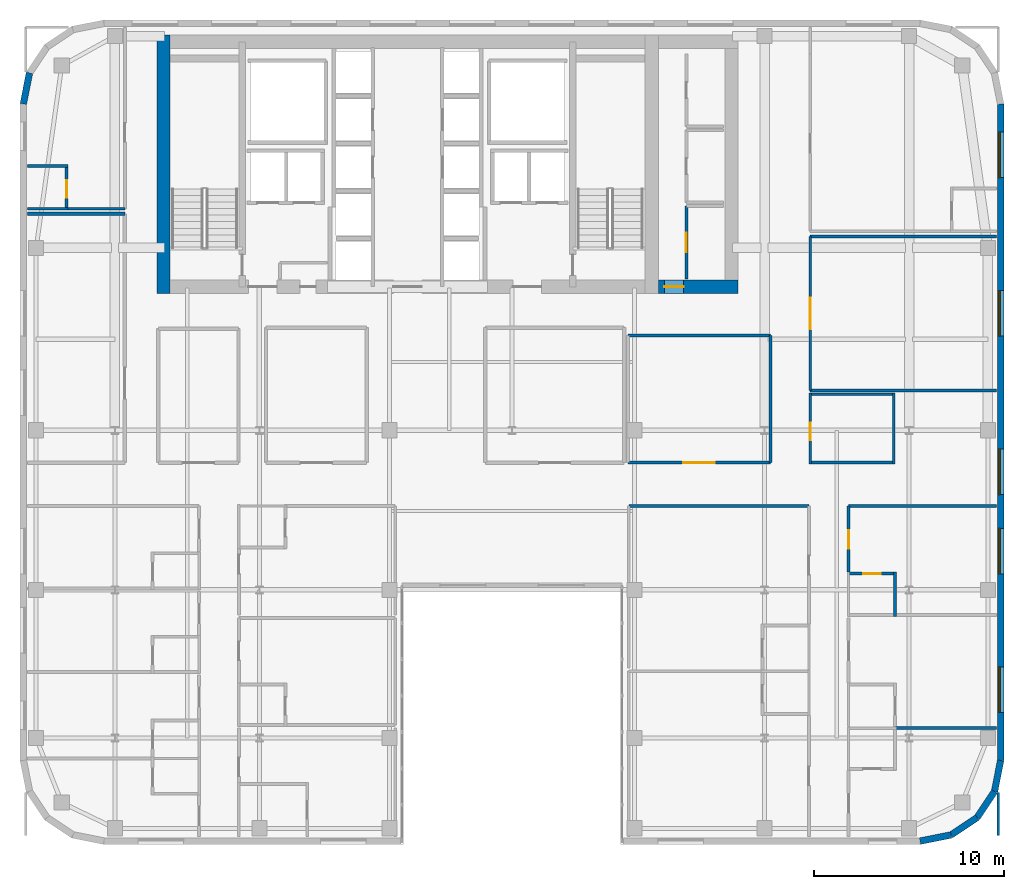
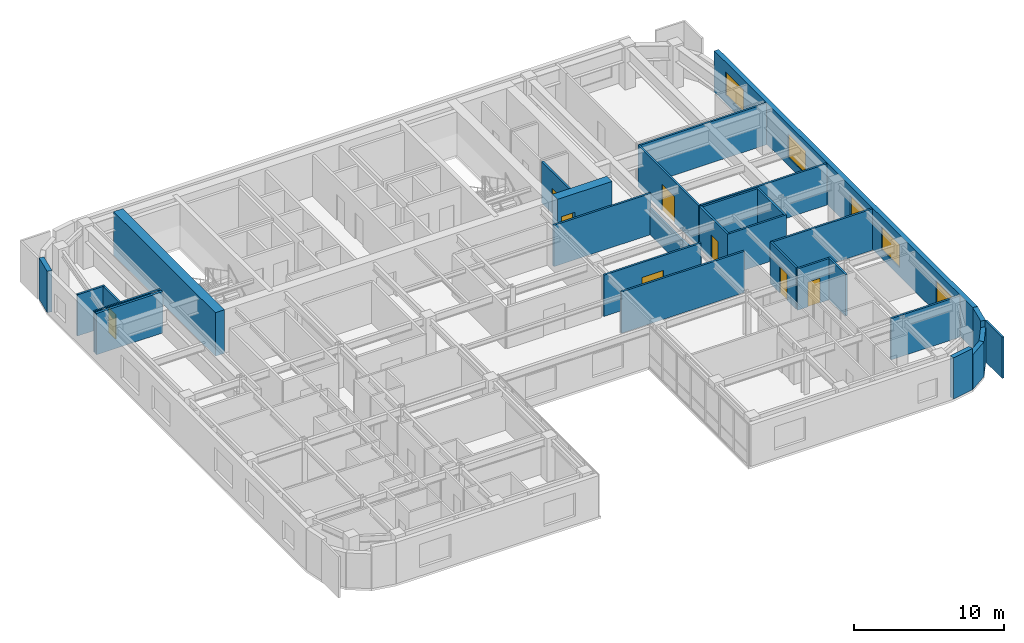
# One storey, part 10 of 14: 31 walls, 8 doors, 5 windows, 13 openings.
"""IFC4 building model written with IfcOpenShell, lengths in metres."""

import ifcopenshell
import ifcopenshell.guid

model = None  # the IFC model being written
_history = None  # IfcOwnerHistory: only IFC2X3 demands one
_inside = {}  # id of a spatial element -> (the spatial element, [elements in it])
_under = {}  # id of a project, library or spatial element -> (it, [spatial elements below it])
_declared = {}  # id of a project -> (the project, [libraries it declares])
_typed = {}  # id of a type object -> (the type object, [elements of that type])
_made_of = {}  # id of a material, layer set ... -> (it, [elements and type objects made of it])


def new_model(schema):
    """Start an empty IFC model of exactly this schema.

    Asked for "IFC4X3", IfcOpenShell would pick the latest addendum, in which some entities
    have other attributes; the version numbers below select the first issue.
    IFC2X3 requires an IfcOwnerHistory on every rooted entity: one is made here for all.
    """
    global model, _history
    if schema == "IFC4X3":
        model = ifcopenshell.file(schema_version=(4, 3, 0, 0))
    else:
        model = ifcopenshell.file(schema=schema)
    _inside.clear()
    _under.clear()
    _declared.clear()
    _typed.clear()
    _made_of.clear()
    _history = None
    if model.schema == "IFC2X3":
        org = make("IfcOrganization", Name="unknown")
        user = make(
            "IfcPersonAndOrganization",
            ThePerson=make("IfcPerson", FamilyName="unknown"),
            TheOrganization=org,
        )
        app = make(
            "IfcApplication",
            ApplicationDeveloper=org,
            Version="unknown",
            ApplicationFullName="unknown",
            ApplicationIdentifier="unknown",
        )
        _history = make(
            "IfcOwnerHistory",
            OwningUser=user,
            OwningApplication=app,
            ChangeAction="ADDED",
            CreationDate=0,
        )
    return model


def make(cls, **values):
    """One entity of the class cls with the attributes given. An attribute that is None is left unset."""
    return model.create_entity(
        cls, **{name: value for name, value in values.items() if value is not None}
    )


def rooted(cls, **values):
    """An entity with a GlobalId (a new one), such as an element, a storey or a relation."""
    return make(cls, GlobalId=ifcopenshell.guid.new(), OwnerHistory=_history, **values)


def si_unit(unit_type, name, prefix=None):
    """IfcSIUnit, for example si_unit("LENGTHUNIT", "METRE", prefix="MILLI")."""
    return make("IfcSIUnit", UnitType=unit_type, Prefix=prefix, Name=name)


def assignment(units):
    """IfcUnitAssignment: the units of a project."""
    return None if units is None else make("IfcUnitAssignment", Units=units)


def point(xyz):
    """IfcCartesianPoint."""
    return None if xyz is None else make("IfcCartesianPoint", Coordinates=xyz)


def direction(xyz):
    """IfcDirection."""
    return None if xyz is None else make("IfcDirection", DirectionRatios=xyz)


def frame(location, z_axis=None, x_axis=None):
    """IfcAxis2Placement3D, a coordinate frame: its origin and axes. An axis left out is left unset."""
    return make(
        "IfcAxis2Placement3D",
        Location=point(location),
        Axis=direction(z_axis),
        RefDirection=direction(x_axis),
    )


def frame_2d(location, x_axis=None):
    """IfcAxis2Placement2D, a coordinate frame in the plane: its origin and x axis."""
    return make(
        "IfcAxis2Placement2D", Location=point(location), RefDirection=direction(x_axis)
    )


def origin():
    """The frame at (0, 0, 0) with its axes left unset."""
    return frame((0.0, 0.0, 0.0))


def place(relative_to, where):
    """IfcLocalPlacement: puts the frame where relative to a parent placement (None: the world)."""
    return make(
        "IfcLocalPlacement", PlacementRelTo=relative_to, RelativePlacement=where
    )


def context(
    kind, dimensions, precision=None, world=None, true_north=None, identifier=None
):
    """IfcGeometricRepresentationContext, for example the 3D "Model" context."""
    return make(
        "IfcGeometricRepresentationContext",
        ContextIdentifier=identifier,
        ContextType=kind,
        CoordinateSpaceDimension=dimensions,
        Precision=precision,
        WorldCoordinateSystem=world,
        TrueNorth=true_north,
    )


def subcontext(parent, identifier, kind, view, scale=None):
    """IfcGeometricRepresentationSubContext, for example "Body" below "Model"."""
    return make(
        "IfcGeometricRepresentationSubContext",
        ContextIdentifier=identifier,
        ContextType=kind,
        ParentContext=parent,
        TargetScale=scale,
        TargetView=view,
    )


def project(units=None, contexts=None):
    """IfcProject with its units and contexts."""
    return rooted(
        "IfcProject",
        Name="project",
        RepresentationContexts=contexts,
        UnitsInContext=assignment(units),
    )


def spatial(cls, under=None, at=None, **own):
    """A site, building, storey or space (cls), placed at a placement, below another one or the project."""
    s = rooted(cls, ObjectPlacement=at, **own)
    if under is not None:
        _under.setdefault(under.id(), (under, []))[1].append(s)
    return s


def profile(cls, at=None, kind="AREA", **sizes):
    """A parametric profile (cls). Its sizes go by their IFC names, for example OverallWidth=200.0."""
    return make(cls, ProfileType=kind, Position=at, **sizes)


def rectangle(**sizes):
    """IfcRectangleProfileDef."""
    return profile("IfcRectangleProfileDef", **sizes)


def extrude(swept, where, along, depth):
    """IfcExtrudedAreaSolid: the profile swept, set in the frame where, extruded along a direction by depth."""
    return make(
        "IfcExtrudedAreaSolid",
        SweptArea=swept,
        Position=where,
        ExtrudedDirection=direction(along),
        Depth=depth,
    )


def shape(context_of_items, identifier, shape_type, items):
    """IfcShapeRepresentation: the items that make up one representation, for example the "Body"."""
    return make(
        "IfcShapeRepresentation",
        ContextOfItems=context_of_items,
        RepresentationIdentifier=identifier,
        RepresentationType=shape_type,
        Items=items,
    )


def source(mapping_origin, context_of_items, identifier, shape_type, items):
    """IfcRepresentationMap: a shape defined once, which mapped items show again and again."""
    return make(
        "IfcRepresentationMap",
        MappingOrigin=mapping_origin,
        MappedRepresentation=shape(context_of_items, identifier, shape_type, items),
    )


def transform(
    local_origin,
    x_axis=None,
    y_axis=None,
    z_axis=None,
    scale=None,
    scale2=None,
    scale3=None,
    uniform=True,
):
    """IfcCartesianTransformationOperator3D, or its non-uniform kind. x_axis, y_axis, z_axis: its Axis1, 2, 3."""
    if uniform:
        return make(
            "IfcCartesianTransformationOperator3D",
            Axis1=direction(x_axis),
            Axis2=direction(y_axis),
            LocalOrigin=point(local_origin),
            Scale=scale,
            Axis3=direction(z_axis),
        )
    return make(
        "IfcCartesianTransformationOperator3DnonUniform",
        Axis1=direction(x_axis),
        Axis2=direction(y_axis),
        LocalOrigin=point(local_origin),
        Scale=scale,
        Axis3=direction(z_axis),
        Scale2=scale2,
        Scale3=scale3,
    )


def mapped(mapping_source, mapping_target):
    """IfcMappedItem: shows the shape of a source again, moved by a transform."""
    return make(
        "IfcMappedItem", MappingSource=mapping_source, MappingTarget=mapping_target
    )


def material(Name=None, Category=None):
    """IfcMaterial."""
    return make("IfcMaterial", Name=Name, Category=Category)


def layer(
    of_material, thickness, ventilated=None, Name=None, Category=None, Priority=None
):
    """IfcMaterialLayer: one layer of a wall or slab, of a material (None: an air gap)."""
    return make(
        "IfcMaterialLayer",
        Material=of_material,
        LayerThickness=thickness,
        IsVentilated=ventilated,
        Name=Name,
        Category=Category,
        Priority=Priority,
    )


def layer_set(layers, Name=None):
    """IfcMaterialLayerSet."""
    return make("IfcMaterialLayerSet", MaterialLayers=layers, LayerSetName=Name)


def made_of(thing, what):
    """Note that an element or type object is made of a material, layer set ...; save() writes the relation."""
    if what is not None:
        _made_of.setdefault(what.id(), (what, []))[1].append(thing)
    return thing


def type_object(cls, material=None, **own):
    """A type object (cls), such as IfcWallType, which elements share."""
    return made_of(rooted(cls, **own), material)


def type_shapes(of_type, sources):
    """Give a type object the sources (RepresentationMaps) that its elements show as mapped items."""
    of_type.RepresentationMaps = sources


def element(
    cls,
    number,
    at=None,
    inside=None,
    cuts=None,
    type_object=None,
    material=None,
    context=None,
    identifier="Body",
    shape_type=None,
    held_by="IfcProductDefinitionShape",
    body=None,
    shapes=None,
    **own,
):
    """One element of the class cls, such as IfcWall. Its Tag is "e" and its number.

    at: its placement. inside: the storey or other place that contains it. cuts: it is an
    opening in that element (IfcRelVoidsElement). A single representation is given by context,
    identifier, shape_type and body (its items); several are given by shapes. held_by: the class
    of the entity that holds the representations. save() writes the other relations.
    """
    e = rooted(cls, Tag="e%d" % number, ObjectPlacement=at, **own)
    if body is not None:
        shapes = [shape(context, identifier, shape_type, body)]
    if shapes is not None:
        e.Representation = make(held_by, Representations=shapes)
    if inside is not None:
        _inside.setdefault(inside.id(), (inside, []))[1].append(e)
    if cuts is not None:
        rooted(
            "IfcRelVoidsElement", RelatingBuildingElement=cuts, RelatedOpeningElement=e
        )
    if type_object is not None:
        _typed.setdefault(type_object.id(), (type_object, []))[1].append(e)
    return made_of(e, material)


def fill(opening, filler):
    """IfcRelFillsElement: the door or window that sits in an opening."""
    return rooted(
        "IfcRelFillsElement",
        RelatingOpeningElement=opening,
        RelatedBuildingElement=filler,
    )


def aggregate(whole, parts):
    """IfcRelAggregates: a whole, such as a stair, and the parts it consists of."""
    return rooted("IfcRelAggregates", RelatingObject=whole, RelatedObjects=parts)


def save(model, path):
    """Write the relations noted so far, then the file.

    IfcRelAggregates (storeys below a building ...), IfcRelContainedInSpatialStructure (elements
    in a storey), IfcRelDefinesByType, IfcRelAssociatesMaterial and IfcRelDeclares: one each for
    every whole, place, type object, material and project.
    """
    for whole, parts in _under.values():
        aggregate(whole, parts)
    for where, things in _inside.values():
        rooted(
            "IfcRelContainedInSpatialStructure",
            RelatedElements=things,
            RelatingStructure=where,
        )
    for kind, things in _typed.values():
        rooted("IfcRelDefinesByType", RelatedObjects=things, RelatingType=kind)
    for what, things in _made_of.values():
        rooted("IfcRelAssociatesMaterial", RelatedObjects=things, RelatingMaterial=what)
    for by, libraries in _declared.values():
        rooted("IfcRelDeclares", RelatingContext=by, RelatedDefinitions=libraries)
    model.write(path)


model = new_model("IFC4")

# Units and contexts
model_context = context("Model", 3, precision=1e-05, world=origin(), true_north=direction((0.0, 1.0)))
body_context = subcontext(model_context, "Body", "Model", "MODEL_VIEW")
ifc_project = project(units=[si_unit("LENGTHUNIT", "METRE"), si_unit("AREAUNIT", "SQUARE_METRE"), si_unit("VOLUMEUNIT", "CUBIC_METRE"), si_unit("PLANEANGLEUNIT", "RADIAN"), si_unit("MASSUNIT", "GRAM", prefix="KILO")], contexts=[model_context])

# Site, building, storey
site_placement = place(None, origin())
site = spatial("IfcSite", under=ifc_project, at=site_placement, CompositionType="ELEMENT")
building_placement = place(site_placement, origin())
building = spatial("IfcBuilding", under=site, at=building_placement, Name="Tolvann Quenvar Hotel", CompositionType="ELEMENT")
storey_placement = place(building_placement, frame((0.0, 0.0, 187.550048828125)))
storey = spatial("IfcBuildingStorey", under=building, at=storey_placement, Name="L49", CompositionType="ELEMENT", Elevation=187.550048828125)

# Wall
ifc_material_1 = material(Name="Concrete S65 (65 MPa)", Category="concrete")
ifc_layer_1 = layer(ifc_material_1, 0.699951171875)
ifc_layer_set_1 = layer_set([ifc_layer_1], Name="Concrete S65 (65 MPa)")
wall_type_1 = type_object("IfcWallType", Name="WALL_CORE_700", PredefinedType="SHEAR", material=ifc_layer_set_1)
wall_1_placement = place(storey_placement, frame((10.14990234375, 31.60009765625, 0.0), z_axis=(0.0, 0.0, 1.0), x_axis=(0.0, 1.0, 0.0)))
element("IfcWall", 1, at=wall_1_placement, inside=storey, type_object=wall_type_1, Name="Rear Core W Shear Wall (L49)", PredefinedType="SHEAR", context=body_context, shape_type="SweptSolid", body=[
    extrude(rectangle(XDim=13.599853515625, YDim=0.699951171875, at=frame_2d((6.7998046875, 0.0))), origin(), (0.0, 0.0, 1.0), 3.550048828125),
])

# Wall, opening, door
wall_2_placement = place(storey_placement, frame((36.199951171875, 31.949951171875, 0.0), z_axis=(0.0, 0.0, 1.0), x_axis=(1.0, 0.0, 0.0)))
wall_2 = element("IfcWall", 2, at=wall_2_placement, inside=storey, type_object=wall_type_1, Name="Core East Annex Shear Wall ANN-S (L49)", PredefinedType="SHEAR", context=body_context, shape_type="SweptSolid", body=[
    extrude(rectangle(XDim=4.199951171875, YDim=0.699951171875, at=frame_2d((2.10009765625, 0.0))), origin(), (0.0, 0.0, 1.0), 3.550048828125),
])
opening_1_placement = place(wall_2_placement, frame((1.340087890625, 0.0, 0.0), z_axis=(0.0, 0.0, 1.0), x_axis=(-1.0, 0.0, 0.0)))
opening_1 = element("IfcOpeningElement", 3, at=opening_1_placement, cuts=wall_2, Name="Opening HD-01", PredefinedType="OPENING", context=body_context, shape_type="SweptSolid", body=[
    extrude(rectangle(XDim=1.02001953125, YDim=2.030029296875, at=frame_2d((0.510009765625, 1.01513671875))), frame((0.0, 0.35986328125, 0.0), z_axis=(0.0, -1.0, 0.0), x_axis=(1.0, 0.0, 0.0)), (0.0, 0.0, 1.0), 0.719970703125),
])
ifc_material_2 = material(Name="Pressed galvanised steel fire-rated door set", Category="steel")
door_type_1 = type_object("IfcDoorType", Name="DOOR_BOH_1020", OperationType="NOTDEFINED", PredefinedType="DOOR", material=ifc_material_2)
shared_shape_1 = source(origin(), body_context, "Body", "SweptSolid", [
    extrude(rectangle(XDim=1.02001953125, YDim=2.030029296875, at=frame_2d((0.510009765625, 1.01513671875))), frame((0.0, 0.02490234375, 0.0), z_axis=(0.0, -1.0, 0.0), x_axis=(1.0, 0.0, 0.0)), (0.0, 0.0, 1.0), 0.050048828125),
])
type_shapes(door_type_1, [shared_shape_1])
door_1_placement = place(opening_1_placement, origin())
door_1 = element("IfcDoor", 4, at=door_1_placement, inside=storey, type_object=door_type_1, Name="Housekeeping Annex Fire Door (L49)", OperationType="SINGLE_SWING_LEFT", OverallHeight=2.030029296875, OverallWidth=1.02001953125, PredefinedType="DOOR", context=body_context, shape_type="MappedRepresentation", body=[
    mapped(shared_shape_1, transform((0.0, 0.0, 0.0), x_axis=(1.0, 0.0, 0.0), y_axis=(0.0, 1.0, 0.0), z_axis=(0.0, 0.0, 1.0), scale=1.0)),
])
fill(opening_1, door_1)

# Walls
ifc_material_3 = material(Name="Kiln-fired red and buff architectural clay brickwork and terracotta masonry", Category="masonry")
ifc_layer_2 = layer(ifc_material_3, 0.35009765625)
ifc_layer_set_2 = layer_set([ifc_layer_2], Name="Kiln-fired red and buff architectural clay brickwork and terracotta masonry")
wall_type_2 = type_object("IfcWallType", Name="WALL_EXT_BRICK_350", PredefinedType="SOLIDWALL", material=ifc_layer_set_2)
wall_3_placement = place(storey_placement, frame((49.98291015625, 2.77490234375, 0.0), z_axis=(0.0, 0.0, 1.0), x_axis=(0.980788844421, 0.195072403631, 0.0)))
element("IfcWall", 5, at=wall_3_placement, inside=storey, type_object=wall_type_2, Name="Exterior Chicago Brick Wall L49-E09", PredefinedType="SOLIDWALL", context=body_context, shape_type="SweptSolid", body=[
    extrude(rectangle(XDim=1.66455078125, YDim=0.35009765625, at=frame_2d((0.832275390625, 0.0))), origin(), (0.0, 0.0, 1.0), 3.369873046875),
])
for number, where, z_axis, x_axis, name in (
    (6, (51.615478515625, 3.099609375, 0.0), (0.0, 0.0, 1.0), (0.831434158098, 0.555623290322, 0.0), "Exterior Chicago Brick Wall L49-E10"),
    (7, (52.985107421875, 4.014892578125, 0.0), (0.0, 0.0, 1.0), (0.555623290322, 0.831434158098, 0.0), "Exterior Chicago Brick Wall L49-E11"),
):
    element("IfcWall", number, at=place(storey_placement, frame(where, z_axis=z_axis, x_axis=x_axis)), inside=storey, type_object=wall_type_2, Name=name, PredefinedType="SOLIDWALL", context=body_context, shape_type="SweptSolid", body=[
        extrude(rectangle(XDim=1.647216796875, YDim=0.35009765625, at=frame_2d((0.82373046875, 0.0))), origin(), (0.0, 0.0, 1.0), 2.83203125),
    ])
wall_4_placement = place(storey_placement, frame((53.900390625, 5.384521484375, 0.0), z_axis=(0.0, 0.0, 1.0), x_axis=(0.195072403631, 0.980788844421, 0.0)))
element("IfcWall", 8, at=wall_4_placement, inside=storey, type_object=wall_type_2, Name="Exterior Chicago Brick Wall L49-E12", PredefinedType="SOLIDWALL", context=body_context, shape_type="SweptSolid", body=[
    extrude(rectangle(XDim=1.66455078125, YDim=0.35009765625, at=frame_2d((0.832275390625, 0.0))), origin(), (0.0, 0.0, 1.0), 3.369873046875),
])

# Wall, openings, windows
wall_5_placement = place(storey_placement, frame((54.22509765625, 7.01708984375, 0.0), z_axis=(0.0, 0.0, 1.0), x_axis=(0.0, 1.0, 0.0)))
wall_5 = element("IfcWall", 9, at=wall_5_placement, inside=storey, type_object=wall_type_2, Name="Exterior Chicago Brick Wall L49-E13", PredefinedType="SOLIDWALL", context=body_context, shape_type="SweptSolid", body=[
    extrude(rectangle(XDim=34.565673828125, YDim=0.35009765625, at=frame_2d((17.28271484375, 0.0))), origin(), (0.0, 0.0, 1.0), 3.369873046875),
])
opening_2_placement = place(wall_5_placement, frame((2.534912109375, 0.0, 0.679931640625)))
opening_2 = element("IfcOpeningElement", 10, at=opening_2_placement, cuts=wall_5, Name="Opening W-01", PredefinedType="OPENING", context=body_context, shape_type="SweptSolid", body=[
    extrude(rectangle(XDim=2.39990234375, YDim=1.89990234375, at=frame_2d((1.199951171875, 0.949951171875))), frame((0.0, 0.18505859375, 0.0), z_axis=(0.0, -1.0, 0.0), x_axis=(1.0, 0.0, 0.0)), (0.0, 0.0, 1.0), 0.3701171875),
])
opening_3_placement = place(wall_5_placement, frame((9.826904296875, 0.0, 0.679931640625)))
opening_3 = element("IfcOpeningElement", 11, at=opening_3_placement, cuts=wall_5, Name="Opening W-01", PredefinedType="OPENING", context=body_context, shape_type="SweptSolid", body=[
    extrude(rectangle(XDim=2.39990234375, YDim=1.89990234375, at=frame_2d((1.199951171875, 0.949951171875))), frame((0.0, 0.18505859375, 0.0), z_axis=(0.0, -1.0, 0.0), x_axis=(1.0, 0.0, 0.0)), (0.0, 0.0, 1.0), 0.3701171875),
])
opening_4_placement = place(wall_5_placement, frame((13.9970703125, 0.0, 0.679931640625)))
opening_4 = element("IfcOpeningElement", 12, at=opening_4_placement, cuts=wall_5, Name="Opening W-01", PredefinedType="OPENING", context=body_context, shape_type="SweptSolid", body=[
    extrude(rectangle(XDim=2.39990234375, YDim=1.89990234375, at=frame_2d((1.199951171875, 0.949951171875))), frame((0.0, 0.18505859375, 0.0), z_axis=(0.0, -1.0, 0.0), x_axis=(1.0, 0.0, 0.0)), (0.0, 0.0, 1.0), 0.3701171875),
])
opening_5_placement = place(wall_5_placement, frame((22.339111328125, 0.0, 0.679931640625)))
opening_5 = element("IfcOpeningElement", 13, at=opening_5_placement, cuts=wall_5, Name="Opening W-01", PredefinedType="OPENING", context=body_context, shape_type="SweptSolid", body=[
    extrude(rectangle(XDim=2.39990234375, YDim=1.89990234375, at=frame_2d((1.199951171875, 0.949951171875))), frame((0.0, 0.18505859375, 0.0), z_axis=(0.0, -1.0, 0.0), x_axis=(1.0, 0.0, 0.0)), (0.0, 0.0, 1.0), 0.3701171875),
])
opening_6_placement = place(wall_5_placement, frame((30.679931640625, 0.0, 0.679931640625)))
opening_6 = element("IfcOpeningElement", 14, at=opening_6_placement, cuts=wall_5, Name="Opening W-01", PredefinedType="OPENING", context=body_context, shape_type="SweptSolid", body=[
    extrude(rectangle(XDim=2.39990234375, YDim=1.89990234375, at=frame_2d((1.199951171875, 0.949951171875))), frame((0.0, 0.18505859375, 0.0), z_axis=(0.0, -1.0, 0.0), x_axis=(1.0, 0.0, 0.0)), (0.0, 0.0, 1.0), 0.3701171875),
])
ifc_material_4 = material(Name="Thermally broken bronze-anodised aluminium frame with double low-E glazing", Category="aluminium")
window_type = type_object("IfcWindowType", Name="WIN_CHI_2400x2050", PartitioningType="TRIPLE_PANEL_HORIZONTAL", PredefinedType="WINDOW", material=ifc_material_4)
shared_shape_2 = source(origin(), body_context, "Body", "SweptSolid", [
    extrude(rectangle(XDim=2.39990234375, YDim=1.89990234375, at=frame_2d((1.199951171875, 0.949951171875))), frame((0.0, 0.090087890625, 0.0), z_axis=(0.0, -1.0, 0.0), x_axis=(1.0, 0.0, 0.0)), (0.0, 0.0, 1.0), 0.06005859375),
])
type_shapes(window_type, [shared_shape_2])
window_1_placement = place(opening_2_placement, origin())
window_1 = element("IfcWindow", 15, at=window_1_placement, inside=storey, type_object=window_type, Name="Chicago Window W-01 (EW-L49-E13-W01)", OverallHeight=1.89990234375, OverallWidth=2.39990234375, PartitioningType="TRIPLE_PANEL_HORIZONTAL", PredefinedType="WINDOW", context=body_context, shape_type="MappedRepresentation", body=[
    mapped(shared_shape_2, transform((0.0, 0.0, 0.0), x_axis=(1.0, 0.0, 0.0), y_axis=(0.0, 1.0, 0.0), z_axis=(0.0, 0.0, 1.0), scale=1.0)),
])
fill(opening_2, window_1)
window_2_placement = place(opening_3_placement, origin())
window_2 = element("IfcWindow", 16, at=window_2_placement, inside=storey, type_object=window_type, Name="Chicago Window W-01 (EW-L49-E13-W02)", OverallHeight=1.89990234375, OverallWidth=2.39990234375, PartitioningType="TRIPLE_PANEL_HORIZONTAL", PredefinedType="WINDOW", context=body_context, shape_type="MappedRepresentation", body=[
    mapped(shared_shape_2, transform((0.0, 0.0, 0.0), x_axis=(1.0, 0.0, 0.0), y_axis=(0.0, 1.0, 0.0), z_axis=(0.0, 0.0, 1.0), scale=1.0)),
])
fill(opening_3, window_2)
window_3_placement = place(opening_4_placement, origin())
window_3 = element("IfcWindow", 17, at=window_3_placement, inside=storey, type_object=window_type, Name="Chicago Window W-01 (EW-L49-E13-W03)", OverallHeight=1.89990234375, OverallWidth=2.39990234375, PartitioningType="TRIPLE_PANEL_HORIZONTAL", PredefinedType="WINDOW", context=body_context, shape_type="MappedRepresentation", body=[
    mapped(shared_shape_2, transform((0.0, 0.0, 0.0), x_axis=(1.0, 0.0, 0.0), y_axis=(0.0, 1.0, 0.0), z_axis=(0.0, 0.0, 1.0), scale=1.0)),
])
fill(opening_4, window_3)
window_4_placement = place(opening_5_placement, origin())
window_4 = element("IfcWindow", 18, at=window_4_placement, inside=storey, type_object=window_type, Name="Chicago Window W-01 (EW-L49-E13-W04)", OverallHeight=1.89990234375, OverallWidth=2.39990234375, PartitioningType="TRIPLE_PANEL_HORIZONTAL", PredefinedType="WINDOW", context=body_context, shape_type="MappedRepresentation", body=[
    mapped(shared_shape_2, transform((0.0, 0.0, 0.0), x_axis=(1.0, 0.0, 0.0), y_axis=(0.0, 1.0, 0.0), z_axis=(0.0, 0.0, 1.0), scale=1.0)),
])
fill(opening_5, window_4)
window_5_placement = place(opening_6_placement, origin())
window_5 = element("IfcWindow", 19, at=window_5_placement, inside=storey, type_object=window_type, Name="Chicago Window W-01 (EW-L49-E13-W05)", OverallHeight=1.89990234375, OverallWidth=2.39990234375, PartitioningType="TRIPLE_PANEL_HORIZONTAL", PredefinedType="WINDOW", context=body_context, shape_type="MappedRepresentation", body=[
    mapped(shared_shape_2, transform((0.0, 0.0, 0.0), x_axis=(1.0, 0.0, 0.0), y_axis=(0.0, 1.0, 0.0), z_axis=(0.0, 0.0, 1.0), scale=1.0)),
])
fill(opening_6, window_5)

# Walls
wall_6_placement = place(storey_placement, frame((3.099609375, 43.215576171875, 0.0), z_axis=(0.0, 0.0, 1.0), x_axis=(-0.195044345786, -0.980794424524, 0.0)))
element("IfcWall", 20, at=wall_6_placement, inside=storey, type_object=wall_type_2, Name="Exterior Chicago Brick Wall L49-E22", PredefinedType="SOLIDWALL", context=body_context, shape_type="SweptSolid", body=[
    extrude(rectangle(XDim=1.664794921875, YDim=0.35009765625, at=frame_2d((0.83251953125, 0.0))), origin(), (0.0, 0.0, 1.0), 3.369873046875),
])
ifc_material_5 = material(Name="Acoustic twin-stud fire-rated gypsum plasterboard partition")
ifc_layer_3 = layer(ifc_material_5, 0.179931640625)
ifc_layer_set_3 = layer_set([ifc_layer_3], Name="Acoustic twin-stud fire-rated gypsum plasterboard partition")
wall_type_3 = type_object("IfcWallType", Name="WALL_PART_ACOUSTIC_180", PredefinedType="PARTITIONING", material=ifc_layer_set_3)
wall_7_placement = place(storey_placement, frame((3.0048828125, 35.800048828125, 0.0), z_axis=(0.0, 0.0, 1.0), x_axis=(1.0, 0.0, 0.0)))
element("IfcWall", 21, at=wall_7_placement, inside=storey, type_object=wall_type_3, Name="Interior Partition PT-SPC-L49-SAL-N", PredefinedType="PARTITIONING", context=body_context, shape_type="SweptSolid", body=[
    extrude(rectangle(XDim=5.115234375, YDim=0.179931640625, at=frame_2d((2.5576171875, 0.0))), origin(), (0.0, 0.0, 1.0), 3.369873046875),
])
ifc_material_6 = material(Name="Moisture-resistant acoustic plumbing wall assembly")
ifc_layer_4 = layer(ifc_material_6, 0.1201171875)
ifc_layer_set_4 = layer_set([ifc_layer_4], Name="Moisture-resistant acoustic plumbing wall assembly")
wall_type_4 = type_object("IfcWallType", Name="WALL_PART_BATH_120", PredefinedType="PLUMBINGWALL", material=ifc_layer_set_4)
wall_8_placement = place(storey_placement, frame((3.0048828125, 36.06005859375, 0.0), z_axis=(0.0, 0.0, 1.0), x_axis=(1.0, 0.0, 0.0)))
element("IfcWall", 22, at=wall_8_placement, inside=storey, type_object=wall_type_4, Name="Non-Rated Plumbing Partition PT-SPC-L49-ENS-NW01-S", PredefinedType="PLUMBINGWALL", context=body_context, shape_type="SweptSolid", body=[
    extrude(rectangle(XDim=2.115234375, YDim=0.1201171875, at=frame_2d((1.0576171875, 0.0))), origin(), (0.0, 0.0, 1.0), 3.369873046875),
])
ifc_layer_5 = layer(ifc_material_5, 0.14990234375)
ifc_layer_set_5 = layer_set([ifc_layer_5], Name="Acoustic twin-stud fire-rated gypsum plasterboard partition")
wall_type_5 = type_object("IfcWallType", Name="WALL_PART_SUITE_150", PredefinedType="PARTITIONING", material=ifc_layer_set_5)
wall_9_placement = place(storey_placement, frame((48.669921875, 14.610107421875, 0.0), z_axis=(0.0, 0.0, 1.0), x_axis=(0.0, 1.0, 0.0)))
element("IfcWall", 23, at=wall_9_placement, inside=storey, type_object=wall_type_5, Name="Interior Partition PT-SPC-L49-ENS-EO03-ENT", PredefinedType="PARTITIONING", context=body_context, shape_type="SweptSolid", body=[
    extrude(rectangle(XDim=2.32080078125, YDim=0.14990234375, at=frame_2d((1.160400390625, 0.0))), origin(), (0.0, 0.0, 1.0), 3.369873046875),
])

# Wall, opening, door
wall_10_placement = place(storey_placement, frame((46.14990234375, 16.861083984375, 0.0), z_axis=(0.0, 0.0, 1.0), x_axis=(1.0, 0.0, 0.0)))
wall_10 = element("IfcWall", 24, at=wall_10_placement, inside=storey, type_object=wall_type_5, Name="Interior Partition PT-SPC-L49-ENS-EO03-N", PredefinedType="PARTITIONING", context=body_context, shape_type="SweptSolid", body=[
    extrude(rectangle(XDim=2.590087890625, YDim=0.14990234375, at=frame_2d((1.294921875, 0.0))), origin(), (0.0, 0.0, 1.0), 3.369873046875),
])
opening_7_placement = place(wall_10_placement, frame((0.8349609375, 0.0, 0.0)))
opening_7 = element("IfcOpeningElement", 25, at=opening_7_placement, cuts=wall_10, Name="Opening WD-01", PredefinedType="OPENING", context=body_context, shape_type="SweptSolid", body=[
    extrude(rectangle(XDim=0.919921875, YDim=2.010009765625, at=frame_2d((0.4599609375, 1.0048828125))), frame((0.0, 0.0849609375, 0.0), z_axis=(0.0, -1.0, 0.0), x_axis=(1.0, 0.0, 0.0)), (0.0, 0.0, 1.0), 0.169921875),
])
ifc_material_7 = material(Name="Solid-core American oak acoustic fire door leaf in steel frame", Category="steel")
door_type_2 = type_object("IfcDoorType", Name="DOOR_WC_920", OperationType="NOTDEFINED", PredefinedType="DOOR", material=ifc_material_7)
shared_shape_3 = source(origin(), body_context, "Body", "SweptSolid", [
    extrude(rectangle(XDim=0.919921875, YDim=2.010009765625, at=frame_2d((0.4599609375, 1.0048828125))), frame((0.0, 0.02490234375, 0.0), z_axis=(0.0, -1.0, 0.0), x_axis=(1.0, 0.0, 0.0)), (0.0, 0.0, 1.0), 0.050048828125),
])
type_shapes(door_type_2, [shared_shape_3])
door_2_placement = place(opening_7_placement, origin())
door_2 = element("IfcDoor", 26, at=door_2_placement, inside=storey, type_object=door_type_2, Name="Interior Door DOOR-SPC-L49-ENS-EO03", OperationType="SINGLE_SWING_RIGHT", OverallHeight=2.010009765625, OverallWidth=0.919921875, PredefinedType="DOOR", context=body_context, shape_type="MappedRepresentation", body=[
    mapped(shared_shape_3, transform((0.0, 0.0, 0.0), x_axis=(1.0, 0.0, 0.0), y_axis=(0.0, 1.0, 0.0), z_axis=(0.0, 0.0, 1.0), scale=1.0)),
])
fill(opening_7, door_2)

wall_11_placement = place(storey_placement, frame((5.050048828125, 35.989990234375, 0.0), z_axis=(0.0, 0.0, 1.0), x_axis=(0.0, 1.0, 0.0)))
wall_11 = element("IfcWall", 27, at=wall_11_placement, inside=storey, type_object=wall_type_5, Name="Interior Partition PT-SPC-L49-ENS-NW01-ENT", PredefinedType="PARTITIONING", context=body_context, shape_type="SweptSolid", body=[
    extrude(rectangle(XDim=2.389892578125, YDim=0.14990234375, at=frame_2d((1.19482421875, 0.0))), origin(), (0.0, 0.0, 1.0), 3.369873046875),
])
opening_8_placement = place(wall_11_placement, frame((0.6650390625, 0.0, 0.0)))
opening_8 = element("IfcOpeningElement", 28, at=opening_8_placement, cuts=wall_11, Name="Opening WD-01", PredefinedType="OPENING", context=body_context, shape_type="SweptSolid", body=[
    extrude(rectangle(XDim=0.919921875, YDim=2.010009765625, at=frame_2d((0.4599609375, 1.0048828125))), frame((0.0, 0.0849609375, 0.0), z_axis=(0.0, -1.0, 0.0), x_axis=(1.0, 0.0, 0.0)), (0.0, 0.0, 1.0), 0.169921875),
])
door_3_placement = place(opening_8_placement, origin())
door_3 = element("IfcDoor", 29, at=door_3_placement, inside=storey, type_object=door_type_2, Name="Interior Door DOOR-SPC-L49-ENS-NW01", OperationType="SINGLE_SWING_LEFT", OverallHeight=2.010009765625, OverallWidth=0.919921875, PredefinedType="DOOR", context=body_context, shape_type="MappedRepresentation", body=[
    mapped(shared_shape_3, transform((0.0, 0.0, 0.0), x_axis=(1.0, 0.0, 0.0), y_axis=(0.0, 1.0, 0.0), z_axis=(0.0, 0.0, 1.0), scale=1.0)),
])
fill(opening_8, door_3)

# Wall
wall_12_placement = place(storey_placement, frame((3.0048828125, 38.31005859375, 0.0), z_axis=(0.0, 0.0, 1.0), x_axis=(1.0, 0.0, 0.0)))
element("IfcWall", 30, at=wall_12_placement, inside=storey, type_object=wall_type_5, Name="Interior Partition PT-SPC-L49-ENS-NW01-N", PredefinedType="PARTITIONING", context=body_context, shape_type="SweptSolid", body=[
    extrude(rectangle(XDim=2.115234375, YDim=0.14990234375, at=frame_2d((1.0576171875, 0.0))), origin(), (0.0, 0.0, 1.0), 3.369873046875),
])

# Wall, opening, door
wall_13_placement = place(storey_placement, frame((37.679931640625, 32.35498046875, 0.0), z_axis=(0.0, 0.0, 1.0), x_axis=(0.0, 1.0, 0.0)))
wall_13 = element("IfcWall", 31, at=wall_13_placement, inside=storey, type_object=wall_type_5, Name="Interior Partition PT-SPC-L49-RECPL-1-W", PredefinedType="PARTITIONING", context=body_context, shape_type="SweptSolid", body=[
    extrude(rectangle(XDim=3.844970703125, YDim=0.14990234375, at=frame_2d((1.92236328125, 0.0))), origin(), (0.0, 0.0, 1.0), 3.369873046875),
])
opening_9_placement = place(wall_13_placement, frame((1.41259765625, 0.0, 0.0)))
opening_9 = element("IfcOpeningElement", 32, at=opening_9_placement, cuts=wall_13, Name="Opening HD-01", PredefinedType="OPENING", context=body_context, shape_type="SweptSolid", body=[
    extrude(rectangle(XDim=1.02001953125, YDim=2.030029296875, at=frame_2d((0.510009765625, 1.01513671875))), frame((0.0, 0.0849609375, 0.0), z_axis=(0.0, -1.0, 0.0), x_axis=(1.0, 0.0, 0.0)), (0.0, 0.0, 1.0), 0.169921875),
])
door_4_placement = place(opening_9_placement, origin())
door_4 = element("IfcDoor", 33, at=door_4_placement, inside=storey, type_object=door_type_1, Name="Interior Door DOOR-SPC-L49-RECPL-1", OperationType="SINGLE_SWING_LEFT", OverallHeight=2.030029296875, OverallWidth=1.02001953125, PredefinedType="DOOR", context=body_context, shape_type="MappedRepresentation", body=[
    mapped(shared_shape_1, transform((0.0, 0.0, 0.0), x_axis=(1.0, 0.0, 0.0), y_axis=(0.0, 1.0, 0.0), z_axis=(0.0, 0.0, 1.0), scale=1.0)),
])
fill(opening_9, door_4)

# Walls
wall_14_placement = place(storey_placement, frame((34.64990234375, 20.419921875, 0.0), z_axis=(0.0, 0.0, 1.0), x_axis=(1.0, 0.0, 0.0)))
element("IfcWall", 34, at=wall_14_placement, inside=storey, type_object=wall_type_5, Name="Interior Partition PT-SPC-L49-RM-EI02-E5", PredefinedType="PARTITIONING", context=body_context, shape_type="SweptSolid", body=[
    extrude(rectangle(XDim=9.47998046875, YDim=0.14990234375, at=frame_2d((4.739990234375, 0.0))), origin(), (0.0, 0.0, 1.0), 3.369873046875),
])
wall_15_placement = place(storey_placement, frame((54.10009765625, 3.080078125, 0.0), z_axis=(0.0, 0.0, 1.0), x_axis=(0.0, 1.0, 0.0)))
element("IfcWall", 35, at=wall_15_placement, inside=storey, type_object=wall_type_5, Name="Interior Partition PT-SPC-L49-RM-EO01-E2", PredefinedType="PARTITIONING", context=body_context, shape_type="SweptSolid", body=[
    extrude(rectangle(XDim=2.264892578125, YDim=0.14990234375, at=frame_2d((1.13232421875, 0.0))), origin(), (0.0, 0.0, 1.0), 3.369873046875),
])
wall_16_placement = place(storey_placement, frame((48.68994140625, 8.719970703125, 0.0), z_axis=(0.0, 0.0, 1.0), x_axis=(1.0, 0.0, 0.0)))
element("IfcWall", 36, at=wall_16_placement, inside=storey, type_object=wall_type_5, Name="Interior Partition PT-SPC-L49-RM-EO01-E3", PredefinedType="PARTITIONING", context=body_context, shape_type="SweptSolid", body=[
    extrude(rectangle(XDim=5.30517578125, YDim=0.14990234375, at=frame_2d((2.652587890625, 0.0))), origin(), (0.0, 0.0, 1.0), 3.369873046875),
])

# Wall, opening, door
wall_17_placement = place(storey_placement, frame((46.219970703125, 16.94091796875, 0.0), z_axis=(0.0, 0.0, 1.0), x_axis=(0.0, 1.0, 0.0)))
wall_17 = element("IfcWall", 37, at=wall_17_placement, inside=storey, type_object=wall_type_5, Name="Interior Partition PT-SPC-L49-RM-EO03-ENT", PredefinedType="PARTITIONING", context=body_context, shape_type="SweptSolid", body=[
    extrude(rectangle(XDim=3.47900390625, YDim=0.14990234375, at=frame_2d((1.739501953125, 0.0))), origin(), (0.0, 0.0, 1.0), 3.369873046875),
])
opening_10_placement = place(wall_17_placement, frame((1.2294921875, 0.0, 0.0)))
opening_10 = element("IfcOpeningElement", 38, at=opening_10_placement, cuts=wall_17, Name="Opening SD-01", PredefinedType="OPENING", context=body_context, shape_type="SweptSolid", body=[
    extrude(rectangle(XDim=0.97998046875, YDim=2.1201171875, at=frame_2d((0.489990234375, 1.06005859375))), frame((0.0, 0.0849609375, 0.0), z_axis=(0.0, -1.0, 0.0), x_axis=(1.0, 0.0, 0.0)), (0.0, 0.0, 1.0), 0.169921875),
])
door_type_3 = type_object("IfcDoorType", Name="DOOR_SUITE_980", OperationType="NOTDEFINED", PredefinedType="DOOR", material=ifc_material_7)
shared_shape_4 = source(origin(), body_context, "Body", "SweptSolid", [
    extrude(rectangle(XDim=0.97998046875, YDim=2.1201171875, at=frame_2d((0.489990234375, 1.06005859375))), frame((0.0, 0.02490234375, 0.0), z_axis=(0.0, -1.0, 0.0), x_axis=(1.0, 0.0, 0.0)), (0.0, 0.0, 1.0), 0.050048828125),
])
type_shapes(door_type_3, [shared_shape_4])
door_5_placement = place(opening_10_placement, origin())
door_5 = element("IfcDoor", 39, at=door_5_placement, inside=storey, type_object=door_type_3, Name="Interior Door DOOR-SPC-L49-RM-EO03", OperationType="SINGLE_SWING_LEFT", OverallHeight=2.1201171875, OverallWidth=0.97998046875, PredefinedType="DOOR", context=body_context, shape_type="MappedRepresentation", body=[
    mapped(shared_shape_4, transform((0.0, 0.0, 0.0), x_axis=(1.0, 0.0, 0.0), y_axis=(0.0, 1.0, 0.0), z_axis=(0.0, 0.0, 1.0), scale=1.0)),
])
fill(opening_10, door_5)

# Walls
wall_18_placement = place(storey_placement, frame((46.219970703125, 20.419921875, 0.0), z_axis=(0.0, 0.0, 1.0), x_axis=(1.0, 0.0, 0.0)))
element("IfcWall", 40, at=wall_18_placement, inside=storey, type_object=wall_type_5, Name="Interior Partition PT-SPC-L49-RM-EO03-E5", PredefinedType="PARTITIONING", context=body_context, shape_type="SweptSolid", body=[
    extrude(rectangle(XDim=7.775146484375, YDim=0.14990234375, at=frame_2d((3.8876953125, 0.0))), origin(), (0.0, 0.0, 1.0), 3.369873046875),
])
wall_19_placement = place(storey_placement, frame((5.070068359375, 36.06005859375, 0.0), z_axis=(0.0, 0.0, 1.0), x_axis=(1.0, 0.0, 0.0)))
element("IfcWall", 41, at=wall_19_placement, inside=storey, type_object=wall_type_5, Name="Interior Partition PT-SPC-L49-RM-NW01-E3", PredefinedType="PARTITIONING", context=body_context, shape_type="SweptSolid", body=[
    extrude(rectangle(XDim=3.050048828125, YDim=0.14990234375, at=frame_2d((1.52490234375, 0.0))), origin(), (0.0, 0.0, 1.0), 3.369873046875),
])

# Wall, opening, door
wall_20_placement = place(storey_placement, frame((44.199951171875, 22.6298828125, 0.0), z_axis=(0.0, 0.0, 1.0), x_axis=(0.0, 1.0, 0.0)))
wall_20 = element("IfcWall", 42, at=wall_20_placement, inside=storey, type_object=wall_type_5, Name="Interior Partition PT-SPC-L49-WCA-ENT", PredefinedType="PARTITIONING", context=body_context, shape_type="SweptSolid", body=[
    extrude(rectangle(XDim=3.740234375, YDim=0.14990234375, at=frame_2d((1.8701171875, 0.0))), origin(), (0.0, 0.0, 1.0), 3.369873046875),
])
opening_11_placement = place(wall_20_placement, frame((1.239990234375, 0.0, 0.0)))
opening_11 = element("IfcOpeningElement", 43, at=opening_11_placement, cuts=wall_20, Name="Opening WD-01", PredefinedType="OPENING", context=body_context, shape_type="SweptSolid", body=[
    extrude(rectangle(XDim=0.919921875, YDim=2.010009765625, at=frame_2d((0.4599609375, 1.0048828125))), frame((0.0, 0.0849609375, 0.0), z_axis=(0.0, -1.0, 0.0), x_axis=(1.0, 0.0, 0.0)), (0.0, 0.0, 1.0), 0.169921875),
])
door_6_placement = place(opening_11_placement, origin())
door_6 = element("IfcDoor", 44, at=door_6_placement, inside=storey, type_object=door_type_2, Name="Interior Door DOOR-SPC-L49-WCA", OperationType="SINGLE_SWING_LEFT", OverallHeight=2.010009765625, OverallWidth=0.919921875, PredefinedType="DOOR", context=body_context, shape_type="MappedRepresentation", body=[
    mapped(shared_shape_3, transform((0.0, 0.0, 0.0), x_axis=(1.0, 0.0, 0.0), y_axis=(0.0, 1.0, 0.0), z_axis=(0.0, 0.0, 1.0), scale=1.0)),
])
fill(opening_11, door_6)

# Walls
for number, where, z_axis, x_axis, name in (
    (45, (44.1298828125, 22.699951171875, 0.0), (0.0, 0.0, 1.0), (1.0, 0.0, 0.0), "Interior Partition PT-SPC-L49-WCA-S"),
    (46, (44.1298828125, 26.300048828125, 0.0), (0.0, 0.0, 1.0), (1.0, 0.0, 0.0), "Interior Partition PT-SPC-L49-WCA-N"),
):
    element("IfcWall", number, at=place(storey_placement, frame(where, z_axis=z_axis, x_axis=x_axis)), inside=storey, type_object=wall_type_5, Name=name, PredefinedType="PARTITIONING", context=body_context, shape_type="SweptSolid", body=[
        extrude(rectangle(XDim=4.5400390625, YDim=0.14990234375, at=frame_2d((2.27001953125, 0.0))), origin(), (0.0, 0.0, 1.0), 3.369873046875),
    ])
wall_21_placement = place(storey_placement, frame((48.60009765625, 22.6298828125, 0.0), z_axis=(0.0, 0.0, 1.0), x_axis=(0.0, 1.0, 0.0)))
element("IfcWall", 47, at=wall_21_placement, inside=storey, type_object=wall_type_5, Name="Interior Partition PT-SPC-L49-WCA-E", PredefinedType="PARTITIONING", context=body_context, shape_type="SweptSolid", body=[
    extrude(rectangle(XDim=3.740234375, YDim=0.14990234375, at=frame_2d((1.8701171875, 0.0))), origin(), (0.0, 0.0, 1.0), 3.369873046875),
])
for number, where, z_axis, x_axis, name in (
    (48, (44.199951171875, 26.5, 0.0), (0.0, 0.0, 1.0), (1.0, 0.0, 0.0), "Interior Partition PT-SPC-L49-SPA-S"),
    (49, (44.199951171875, 34.60009765625, 0.0), (0.0, 0.0, 1.0), (1.0, 0.0, 0.0), "Interior Partition PT-SPC-L49-SPA-N"),
):
    element("IfcWall", number, at=place(storey_placement, frame(where, z_axis=z_axis, x_axis=x_axis)), inside=storey, type_object=wall_type_5, Name=name, PredefinedType="PARTITIONING", context=body_context, shape_type="SweptSolid", body=[
        extrude(rectangle(XDim=9.795166015625, YDim=0.14990234375, at=frame_2d((4.8974609375, 0.0))), origin(), (0.0, 0.0, 1.0), 3.369873046875),
    ])

# Wall, opening, door
wall_22_placement = place(storey_placement, frame((44.199951171875, 26.5, 0.0), z_axis=(0.0, 0.0, 1.0), x_axis=(0.0, 1.0, 0.0)))
wall_22 = element("IfcWall", 50, at=wall_22_placement, inside=storey, type_object=wall_type_5, Name="Interior Partition PT-SPC-L49-SPA-W", PredefinedType="PARTITIONING", context=body_context, shape_type="SweptSolid", body=[
    extrude(rectangle(XDim=8.10009765625, YDim=0.14990234375, at=frame_2d((4.050048828125, 0.0))), origin(), (0.0, 0.0, 1.0), 3.369873046875),
])
opening_12_placement = place(wall_22_placement, frame((3.22509765625, 0.0, 0.0)))
opening_12 = element("IfcOpeningElement", 51, at=opening_12_placement, cuts=wall_22, Name="Opening AD-01", PredefinedType="OPENING", context=body_context, shape_type="SweptSolid", body=[
    extrude(rectangle(XDim=1.64990234375, YDim=2.14990234375, at=frame_2d((0.824951171875, 1.074951171875))), frame((0.0, 0.0849609375, 0.0), z_axis=(0.0, -1.0, 0.0), x_axis=(1.0, 0.0, 0.0)), (0.0, 0.0, 1.0), 0.169921875),
])
door_type_4 = type_object("IfcDoorType", Name="DOOR_SALON_1650", OperationType="NOTDEFINED", PredefinedType="DOOR", material=ifc_material_7)
shared_shape_5 = source(origin(), body_context, "Body", "SweptSolid", [
    extrude(rectangle(XDim=1.64990234375, YDim=2.14990234375, at=frame_2d((0.824951171875, 1.074951171875))), frame((0.0, 0.02490234375, 0.0), z_axis=(0.0, -1.0, 0.0), x_axis=(1.0, 0.0, 0.0)), (0.0, 0.0, 1.0), 0.050048828125),
])
type_shapes(door_type_4, [shared_shape_5])
door_7_placement = place(opening_12_placement, origin())
door_7 = element("IfcDoor", 52, at=door_7_placement, inside=storey, type_object=door_type_4, Name="Interior Door DOOR-SPC-L49-SPA", OperationType="DOUBLE_DOOR_SINGLE_SWING", OverallHeight=2.14990234375, OverallWidth=1.64990234375, PredefinedType="DOOR", context=body_context, shape_type="MappedRepresentation", body=[
    mapped(shared_shape_5, transform((0.0, 0.0, 0.0), x_axis=(1.0, 0.0, 0.0), y_axis=(0.0, 1.0, 0.0), z_axis=(0.0, 0.0, 1.0), scale=1.0)),
])
fill(opening_12, door_7)

wall_23_placement = place(storey_placement, frame((34.60009765625, 22.699951171875, 0.0), z_axis=(0.0, 0.0, 1.0), x_axis=(1.0, 0.0, 0.0)))
wall_23 = element("IfcWall", 53, at=wall_23_placement, inside=storey, type_object=wall_type_5, Name="Interior Partition PT-SPC-L49-MSP-E-S", PredefinedType="PARTITIONING", context=body_context, shape_type="SweptSolid", body=[
    extrude(rectangle(XDim=7.5, YDim=0.14990234375, at=frame_2d((3.75, 0.0))), origin(), (0.0, 0.0, 1.0), 3.369873046875),
])
opening_13_placement = place(wall_23_placement, frame((2.925048828125, 0.0, 0.0)))
opening_13 = element("IfcOpeningElement", 54, at=opening_13_placement, cuts=wall_23, Name="Opening AD-01", PredefinedType="OPENING", context=body_context, shape_type="SweptSolid", body=[
    extrude(rectangle(XDim=1.64990234375, YDim=2.14990234375, at=frame_2d((0.824951171875, 1.074951171875))), frame((0.0, 0.0849609375, 0.0), z_axis=(0.0, -1.0, 0.0), x_axis=(1.0, 0.0, 0.0)), (0.0, 0.0, 1.0), 0.169921875),
])
door_8_placement = place(opening_13_placement, origin())
door_8 = element("IfcDoor", 55, at=door_8_placement, inside=storey, type_object=door_type_4, Name="Interior Door DOOR-SPC-L49-MSP-E", OperationType="DOUBLE_DOOR_SINGLE_SWING", OverallHeight=2.14990234375, OverallWidth=1.64990234375, PredefinedType="DOOR", context=body_context, shape_type="MappedRepresentation", body=[
    mapped(shared_shape_5, transform((0.0, 0.0, 0.0), x_axis=(1.0, 0.0, 0.0), y_axis=(0.0, 1.0, 0.0), z_axis=(0.0, 0.0, 1.0), scale=1.0)),
])
fill(opening_13, door_8)

# Walls
wall_24_placement = place(storey_placement, frame((34.60009765625, 29.39990234375, 0.0), z_axis=(0.0, 0.0, 1.0), x_axis=(1.0, 0.0, 0.0)))
element("IfcWall", 56, at=wall_24_placement, inside=storey, type_object=wall_type_5, Name="Interior Partition PT-SPC-L49-MSP-E-N", PredefinedType="PARTITIONING", context=body_context, shape_type="SweptSolid", body=[
    extrude(rectangle(XDim=7.5, YDim=0.14990234375, at=frame_2d((3.75, 0.0))), origin(), (0.0, 0.0, 1.0), 3.369873046875),
])
wall_25_placement = place(storey_placement, frame((42.10009765625, 22.699951171875, 0.0), z_axis=(0.0, 0.0, 1.0), x_axis=(0.0, 1.0, 0.0)))
element("IfcWall", 57, at=wall_25_placement, inside=storey, type_object=wall_type_5, Name="Interior Partition PT-SPC-L49-MSP-E-E", PredefinedType="PARTITIONING", context=body_context, shape_type="SweptSolid", body=[
    extrude(rectangle(XDim=6.699951171875, YDim=0.14990234375, at=frame_2d((3.35009765625, 0.0))), origin(), (0.0, 0.0, 1.0), 2.159912109375),
])

save(model, "model.ifc")
